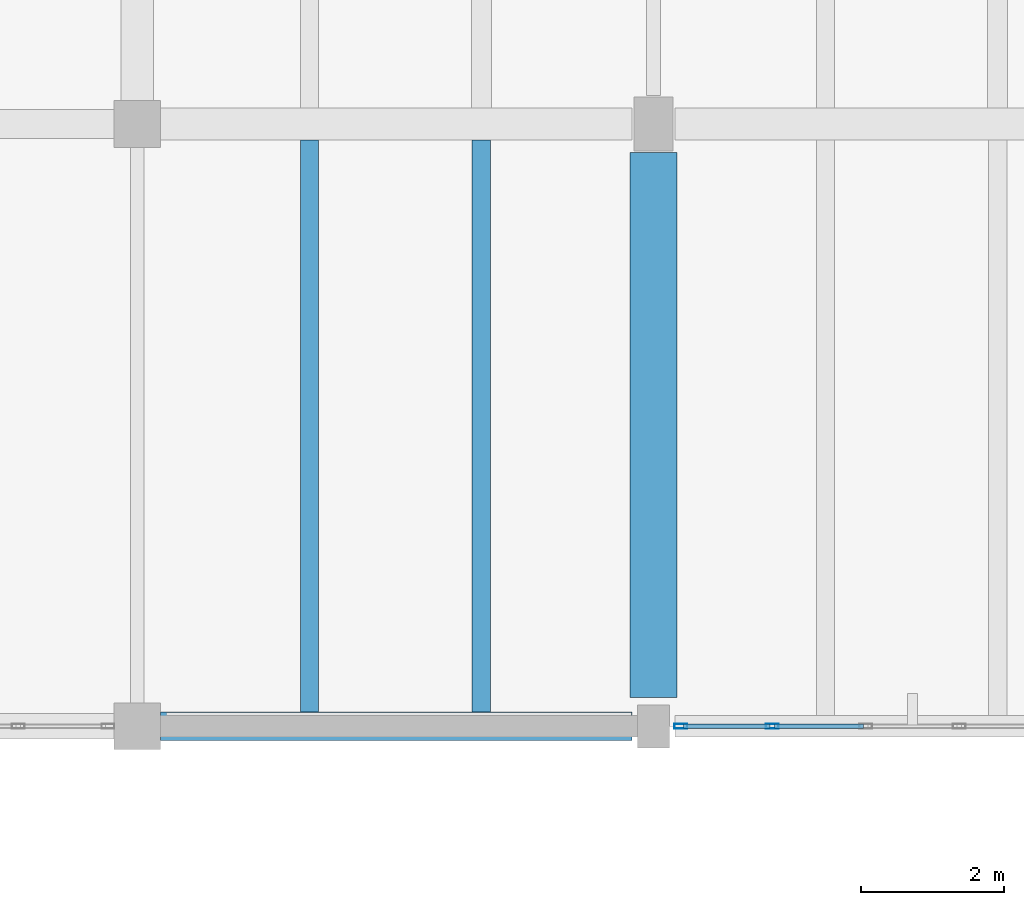
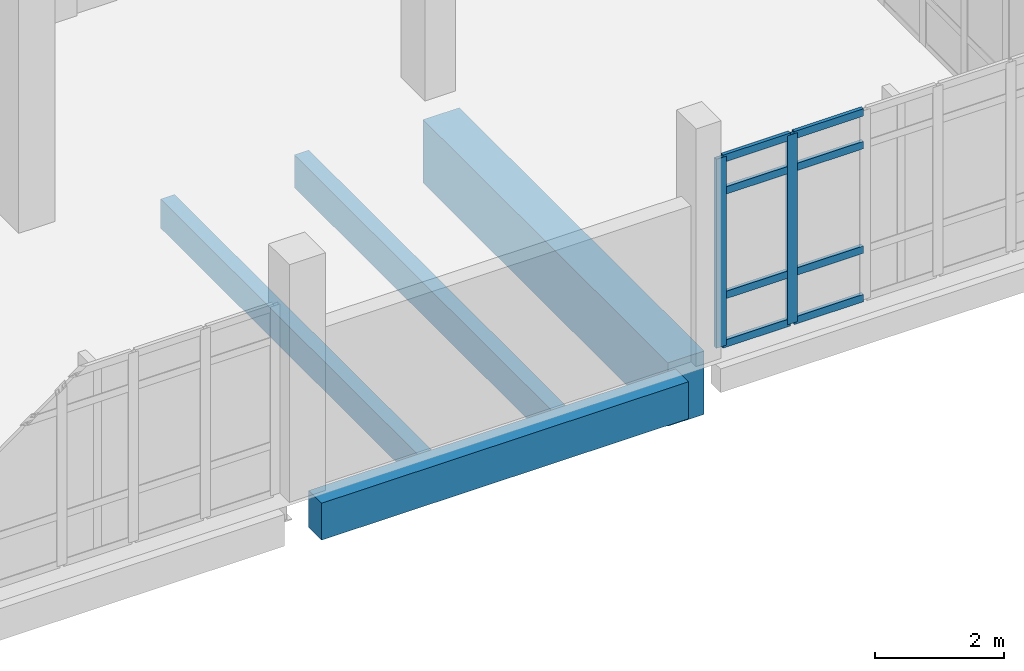
# One storey, part 51 of 87: 10 members, 4 beams, 1 element without a shape of its own.
"""IFC4 building model written with IfcOpenShell, lengths in metres."""

from ifc_helpers import new_model, si_unit, direction, frame, origin, origin_2d, place, context, subcontext, project, spatial, rectangle, hollow_rectangle, extrude, material, material_profile, profile_set, type_object, element, aggregate, save


model = new_model("IFC4")

# Units and contexts
model_context = context("Model", 3, precision=1e-05, world=origin(), true_north=direction((0.0, 1.0)))
body_context = subcontext(model_context, "Body", "Model", "MODEL_VIEW")
ifc_project = project(units=[si_unit("LENGTHUNIT", "METRE"), si_unit("AREAUNIT", "SQUARE_METRE"), si_unit("VOLUMEUNIT", "CUBIC_METRE"), si_unit("PLANEANGLEUNIT", "RADIAN"), si_unit("MASSUNIT", "GRAM", prefix="KILO")], contexts=[model_context])

# Site, building, storey
site_placement = place(None, origin())
site = spatial("IfcSite", under=ifc_project, at=site_placement, CompositionType="ELEMENT")
building_placement = place(site_placement, origin())
building = spatial("IfcBuilding", under=site, at=building_placement, Name="Kalluvel Institute of Natural Sciences", CompositionType="ELEMENT")
storey_placement = place(building_placement, frame((0.0, 0.0, 18.89990234375)))
storey = spatial("IfcBuildingStorey", under=building, at=storey_placement, Name="L04", CompositionType="ELEMENT", Elevation=18.89990234375)

# Beam
ifc_material_1 = material(Name="Concrete M50", Category="concrete")
ifc_material_profile_1 = material_profile(ifc_material_1, rectangle(XDim=0.64990234375, YDim=1.199951171875, at=origin_2d()), Name="RCB 650x1200")
ifc_profile_set_1 = profile_set([ifc_material_profile_1], Name="Concrete M50")
beam_type_1 = type_object("IfcBeamType", Name="BM-RC650x1200", PredefinedType="BEAM", material=ifc_profile_set_1)
beam_1_placement = place(storey_placement, frame((107.60009765625, 103.199951171875, -0.919921875), z_axis=(0.0, 1.0, 0.0), x_axis=(-1.0, 0.0, 0.0)))
element("IfcBeam", 1, at=beam_1_placement, inside=storey, type_object=beam_type_1, Name="L04 girder GIR-L04-NS-X1076-Y1028", PredefinedType="BEAM", context=body_context, shape_type="SweptSolid", body=[
    extrude(rectangle(XDim=0.64990234375, YDim=1.199951171875, at=origin_2d()), origin(), (0.0, 0.0, 1.0), 7.60009765625),
])

# Curtain wall, members
ifc_material_2 = material(Name="Aluminium AW-6063 T6", Category="aluminium")
curtain_wall_type = type_object("IfcCurtainWallType", Name="CW-WET-45", PredefinedType="USERDEFINED", material=ifc_material_2)
curtain_wall_placement = place(storey_placement, origin())
curtain_wall = element("IfcCurtainWall", 2, at=curtain_wall_placement, inside=storey, type_object=curtain_wall_type, Name="L04 Gothic lancet curtain wall CWA-L04-X1080-Y1028", ObjectType="UNITISED LANCET FACADE", PredefinedType="USERDEFINED")
ifc_material_profile_2 = material_profile(ifc_material_2, hollow_rectangle(XDim=0.06494140625, YDim=0.179931640625, WallThickness=0.00439453125, at=origin_2d()), Name="CWM 65x180")
ifc_profile_set_2 = profile_set([ifc_material_profile_2], Name="Aluminium AW-6063 T6")
member_type_1 = type_object("IfcMemberType", Name="CWM-65x180", PredefinedType="MULLION", material=ifc_profile_set_2)
member_1_placement = place(storey_placement, frame((107.982421875, 102.800048828125, 0.0), z_axis=(0.0, 0.0, 1.0), x_axis=(0.0, 1.0, 0.0)))
member_1 = element("IfcMember", 3, at=member_1_placement, type_object=member_type_1, Name="CW-01 mullion 1", PredefinedType="MULLION", context=body_context, shape_type="SweptSolid", body=[
    extrude(hollow_rectangle(XDim=0.06494140625, YDim=0.179931640625, WallThickness=0.00439453125, at=origin_2d()), origin(), (0.0, 0.0, 1.0), 3.580078125),
])
member_2_placement = place(storey_placement, frame((109.2548828125, 102.800048828125, 0.0), z_axis=(0.0, 0.0, 1.0), x_axis=(0.0, 1.0, 0.0)))
member_2 = element("IfcMember", 4, at=member_2_placement, type_object=member_type_1, Name="CW-01 mullion 2", PredefinedType="MULLION", context=body_context, shape_type="SweptSolid", body=[
    extrude(hollow_rectangle(XDim=0.06494140625, YDim=0.179931640625, WallThickness=0.00439453125, at=origin_2d()), origin(), (0.0, 0.0, 1.0), 3.580078125),
])
ifc_material_profile_3 = material_profile(ifc_material_2, hollow_rectangle(XDim=0.06494140625, YDim=0.139892578125, WallThickness=0.00439453125, at=origin_2d()), Name="CWT 65x140")
ifc_profile_set_3 = profile_set([ifc_material_profile_3], Name="Aluminium AW-6063 T6")
member_type_2 = type_object("IfcMemberType", Name="CWT-65x140", PredefinedType="USERDEFINED", material=ifc_profile_set_3)
member_3_placement = place(storey_placement, frame((108.014892578125, 102.800048828125, 0.03271484375), z_axis=(1.0, 0.0, 0.0), x_axis=(0.0, 1.0, 0.0)))
member_3 = element("IfcMember", 5, at=member_3_placement, type_object=member_type_2, Name="CW-01 transom 1.1", ObjectType="TRANSOM", PredefinedType="USERDEFINED", context=body_context, shape_type="SweptSolid", body=[
    extrude(hollow_rectangle(XDim=0.06494140625, YDim=0.139892578125, WallThickness=0.00439453125, at=origin_2d()), origin(), (0.0, 0.0, 1.0), 1.20751953125),
])
member_4_placement = place(storey_placement, frame((108.014892578125, 102.800048828125, 0.9501953125), z_axis=(1.0, 0.0, 0.0), x_axis=(0.0, 1.0, 0.0)))
member_4 = element("IfcMember", 6, at=member_4_placement, type_object=member_type_2, Name="CW-01 transom 1.2", ObjectType="TRANSOM", PredefinedType="USERDEFINED", context=body_context, shape_type="SweptSolid", body=[
    extrude(hollow_rectangle(XDim=0.06494140625, YDim=0.139892578125, WallThickness=0.00439453125, at=origin_2d()), origin(), (0.0, 0.0, 1.0), 1.20751953125),
])
member_5_placement = place(storey_placement, frame((108.014892578125, 102.800048828125, 2.93017578125), z_axis=(1.0, 0.0, 0.0), x_axis=(0.0, 1.0, 0.0)))
member_5 = element("IfcMember", 7, at=member_5_placement, type_object=member_type_2, Name="CW-01 transom 1.3", ObjectType="TRANSOM", PredefinedType="USERDEFINED", context=body_context, shape_type="SweptSolid", body=[
    extrude(hollow_rectangle(XDim=0.06494140625, YDim=0.139892578125, WallThickness=0.00439453125, at=origin_2d()), origin(), (0.0, 0.0, 1.0), 1.20751953125),
])
member_6_placement = place(storey_placement, frame((108.014892578125, 102.800048828125, 3.547607421875), z_axis=(1.0, 0.0, 0.0), x_axis=(0.0, 1.0, 0.0)))
member_6 = element("IfcMember", 8, at=member_6_placement, type_object=member_type_2, Name="CW-01 transom 1.4", ObjectType="TRANSOM", PredefinedType="USERDEFINED", context=body_context, shape_type="SweptSolid", body=[
    extrude(hollow_rectangle(XDim=0.06494140625, YDim=0.139892578125, WallThickness=0.00439453125, at=origin_2d()), origin(), (0.0, 0.0, 1.0), 1.20751953125),
])
member_7_placement = place(storey_placement, frame((109.28759765625, 102.800048828125, 0.03271484375), z_axis=(1.0, 0.0, 0.0), x_axis=(0.0, 1.0, 0.0)))
member_7 = element("IfcMember", 9, at=member_7_placement, type_object=member_type_2, Name="CW-01 transom 2.1", ObjectType="TRANSOM", PredefinedType="USERDEFINED", context=body_context, shape_type="SweptSolid", body=[
    extrude(hollow_rectangle(XDim=0.06494140625, YDim=0.139892578125, WallThickness=0.00439453125, at=origin_2d()), origin(), (0.0, 0.0, 1.0), 1.239990234375),
])
member_8_placement = place(storey_placement, frame((109.28759765625, 102.800048828125, 0.9501953125), z_axis=(1.0, 0.0, 0.0), x_axis=(0.0, 1.0, 0.0)))
member_8 = element("IfcMember", 10, at=member_8_placement, type_object=member_type_2, Name="CW-01 transom 2.2", ObjectType="TRANSOM", PredefinedType="USERDEFINED", context=body_context, shape_type="SweptSolid", body=[
    extrude(hollow_rectangle(XDim=0.06494140625, YDim=0.139892578125, WallThickness=0.00439453125, at=origin_2d()), origin(), (0.0, 0.0, 1.0), 1.239990234375),
])
member_9_placement = place(storey_placement, frame((109.28759765625, 102.800048828125, 2.93017578125), z_axis=(1.0, 0.0, 0.0), x_axis=(0.0, 1.0, 0.0)))
member_9 = element("IfcMember", 11, at=member_9_placement, type_object=member_type_2, Name="CW-01 transom 2.3", ObjectType="TRANSOM", PredefinedType="USERDEFINED", context=body_context, shape_type="SweptSolid", body=[
    extrude(hollow_rectangle(XDim=0.06494140625, YDim=0.139892578125, WallThickness=0.00439453125, at=origin_2d()), origin(), (0.0, 0.0, 1.0), 1.239990234375),
])
member_10_placement = place(storey_placement, frame((109.28759765625, 102.800048828125, 3.547607421875), z_axis=(1.0, 0.0, 0.0), x_axis=(0.0, 1.0, 0.0)))
member_10 = element("IfcMember", 12, at=member_10_placement, type_object=member_type_2, Name="CW-01 transom 2.4", ObjectType="TRANSOM", PredefinedType="USERDEFINED", context=body_context, shape_type="SweptSolid", body=[
    extrude(hollow_rectangle(XDim=0.06494140625, YDim=0.139892578125, WallThickness=0.00439453125, at=origin_2d()), origin(), (0.0, 0.0, 1.0), 1.239990234375),
])
aggregate(curtain_wall, [member_1, member_2, member_3, member_4, member_5, member_6, member_7, member_8, member_9, member_10])

# Beams
ifc_material_3 = material(Name="Concrete M40", Category="concrete")
ifc_material_profile_4 = material_profile(ifc_material_3, rectangle(XDim=0.39990234375, YDim=0.699951171875, at=origin_2d()), Name="RCB 400x700")
ifc_profile_set_4 = profile_set([ifc_material_profile_4], Name="Concrete M40")
beam_type_2 = type_object("IfcBeamType", Name="SP-RC400x700", PredefinedType="SPANDREL", material=ifc_profile_set_4)
beam_2_placement = place(storey_placement, frame((100.72509765625, 102.800048828125, -0.669921875), z_axis=(1.0, 0.0, 0.0), x_axis=(0.0, 1.0, 0.0)))
element("IfcBeam", 13, at=beam_2_placement, inside=storey, type_object=beam_type_2, Name="L04 girder GIR-L04-EW-X1004-Y1028", PredefinedType="SPANDREL", context=body_context, shape_type="SweptSolid", body=[
    extrude(rectangle(XDim=0.39990234375, YDim=0.699951171875, at=origin_2d()), origin(), (0.0, 0.0, 1.0), 6.574951171875),
])
ifc_material_profile_5 = material_profile(ifc_material_3, rectangle(XDim=0.25, YDim=0.550048828125, at=origin_2d()), Name="WAF 250x550")
ifc_profile_set_5 = profile_set([ifc_material_profile_5], Name="Concrete M40")
beam_type_3 = type_object("IfcBeamType", Name="WJ-250x550", PredefinedType="JOIST", material=ifc_profile_set_5)
beam_3_placement = place(storey_placement, frame((102.800048828125, 103.0, -0.594970703125), z_axis=(0.0, 1.0, 0.0), x_axis=(-1.0, 0.0, 0.0)))
element("IfcBeam", 14, at=beam_3_placement, inside=storey, type_object=beam_type_3, Name="L04 waffle joist RIB-L04-0356", PredefinedType="JOIST", context=body_context, shape_type="SweptSolid", body=[
    extrude(rectangle(XDim=0.25, YDim=0.550048828125, at=origin_2d()), origin(), (0.0, 0.0, 1.0), 7.97509765625),
])
ifc_material_profile_6 = material_profile(ifc_material_1, rectangle(XDim=0.260009765625, YDim=0.6201171875, at=origin_2d()), Name="WAF 260x620")
ifc_profile_set_6 = profile_set([ifc_material_profile_6], Name="Concrete M50")
beam_type_4 = type_object("IfcBeamType", Name="WJ-260x620", PredefinedType="JOIST", material=ifc_profile_set_6)
beam_4_placement = place(storey_placement, frame((105.199951171875, 103.0, -0.6298828125), z_axis=(0.0, 1.0, 0.0), x_axis=(-1.0, 0.0, 0.0)))
element("IfcBeam", 15, at=beam_4_placement, inside=storey, type_object=beam_type_4, Name="L04 waffle joist RIB-L04-0357", PredefinedType="JOIST", context=body_context, shape_type="SweptSolid", body=[
    extrude(rectangle(XDim=0.260009765625, YDim=0.6201171875, at=origin_2d()), origin(), (0.0, 0.0, 1.0), 7.97509765625),
])

save(model, "model.ifc")
